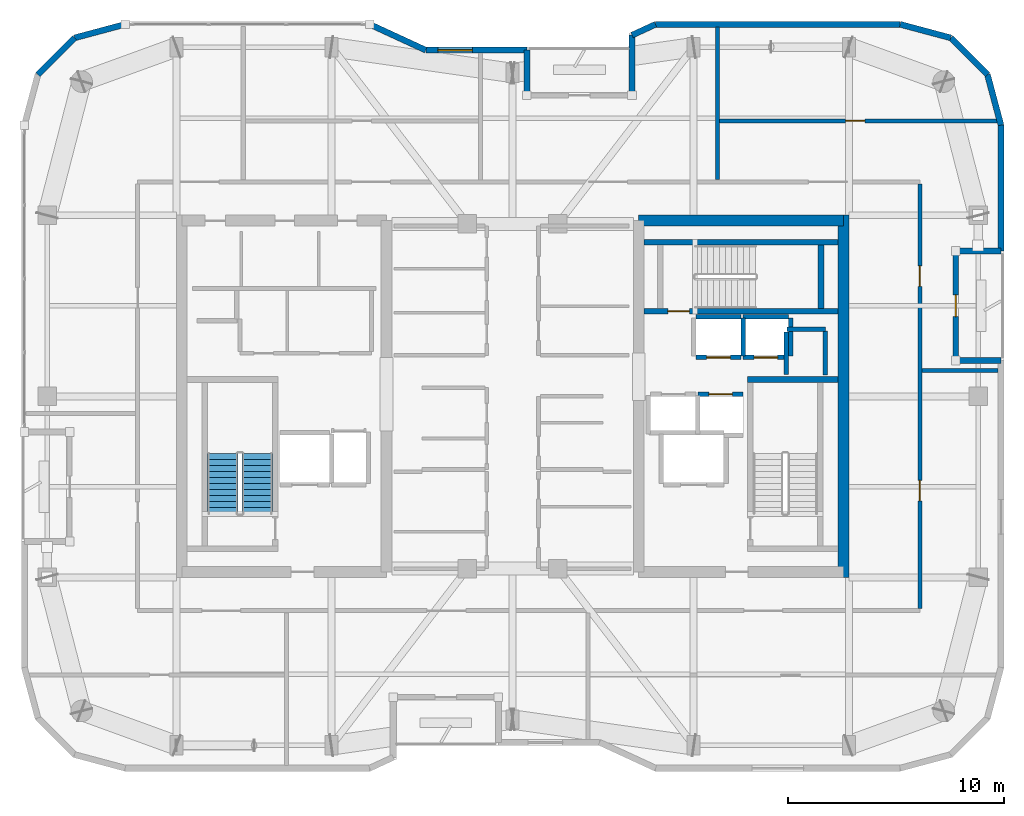
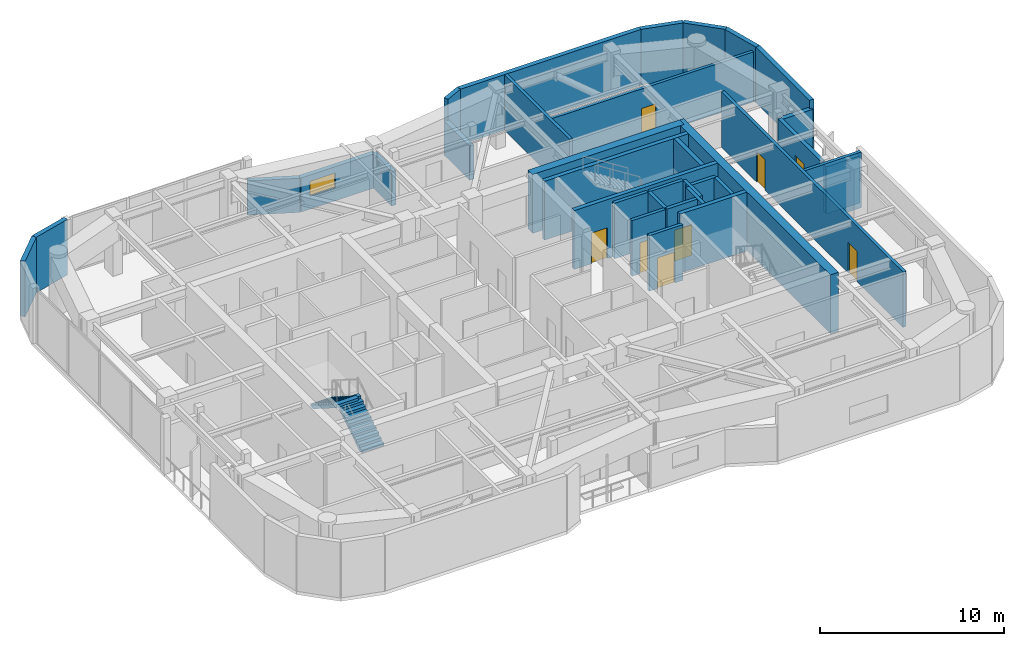
# One storey, part 13 of 16: 35 walls, 8 doors, 2 stair flights, 1 window, 9 openings, 1 element without a shape of its own.
"""IFC4 building model written with IfcOpenShell, lengths in metres."""

from ifc_helpers import new_model, si_unit, direction, frame, frame_2d, origin, place, context, subcontext, project, spatial, polyline, rectangle, outline, extrude, material, layer, layer_set, type_object, element, fill, aggregate, save


model = new_model("IFC4")

# Units and contexts
model_context = context("Model", 3, precision=1e-05, world=origin(), true_north=direction((0.0, 1.0)))
body_context = subcontext(model_context, "Body", "Model", "MODEL_VIEW")
ifc_project = project(units=[si_unit("LENGTHUNIT", "METRE"), si_unit("AREAUNIT", "SQUARE_METRE"), si_unit("VOLUMEUNIT", "CUBIC_METRE"), si_unit("PLANEANGLEUNIT", "RADIAN"), si_unit("MASSUNIT", "GRAM", prefix="KILO")], contexts=[model_context])

# Site, building, storey
site_placement = place(None, origin())
site = spatial("IfcSite", under=ifc_project, at=site_placement, CompositionType="ELEMENT")
building_placement = place(site_placement, origin())
building = spatial("IfcBuilding", under=site, at=building_placement, Name="Kiyonajd Concourse Tower", CompositionType="ELEMENT")
storey_placement = place(building_placement, frame((0.0, 0.0, 333.60009765625)))
storey = spatial("IfcBuildingStorey", under=building, at=storey_placement, Name="L84", CompositionType="ELEMENT", Elevation=333.60009765625)

# Walls
ifc_material_1 = material(Name="Concrete C60/75", Category="concrete")
ifc_layer_1 = layer(ifc_material_1, 0.5)
ifc_layer_set_1 = layer_set([ifc_layer_1], Name="Concrete C60/75")
wall_type_1 = type_object("IfcWallType", Name="WL-CORE-500", PredefinedType="SHEAR", material=ifc_layer_set_1)
wall_1_placement = place(storey_placement, frame((63.35009765625, 27.60009765625, 0.0), z_axis=(0.0, 0.0, 1.0), x_axis=(0.0, 1.0, 0.0)))
element("IfcWall", 1, at=wall_1_placement, inside=storey, type_object=wall_type_1, Name="L84 East Core Outer Shear Wall", PredefinedType="SHEAR", context=body_context, shape_type="SweptSolid", body=[
    extrude(rectangle(XDim=16.7998046875, YDim=0.5, at=frame_2d((8.39990234375, 0.0))), origin(), (0.0, 0.0, 1.0), 3.89990234375),
])
wall_2_placement = place(storey_placement, frame((53.85009765625, 44.14990234375, 0.0), z_axis=(0.0, 0.0, 1.0), x_axis=(1.0, 0.0, 0.0)))
element("IfcWall", 2, at=wall_2_placement, inside=storey, type_object=wall_type_1, Name="L84 East Core North Shear Wall", PredefinedType="SHEAR", context=body_context, shape_type="SweptSolid", body=[
    extrude(rectangle(XDim=9.5, YDim=0.5, at=frame_2d((4.75, 0.0))), origin(), (0.0, 0.0, 1.0), 3.89990234375),
])
ifc_material_2 = material(Name="Precast concrete C50/60", Category="concrete")
ifc_layer_2 = layer(ifc_material_2, 0.280029296875)
ifc_layer_set_2 = layer_set([ifc_layer_2], Name="Precast concrete C50/60")
wall_type_2 = type_object("IfcWallType", Name="WL-EXT-280", PredefinedType="SOLIDWALL", material=ifc_layer_set_2)
wall_3_placement = place(storey_placement, frame((25.968505859375, 50.927490234375, 0.0), z_axis=(0.0, 0.0, 1.0), x_axis=(0.707106781187, 0.707106781187, 0.0)))
element("IfcWall", 3, at=wall_3_placement, inside=storey, type_object=wall_type_2, Name="L84 Exterior Concrete Frame Wall 07", PredefinedType="SOLIDWALL", context=body_context, shape_type="SweptSolid", body=[
    extrude(rectangle(XDim=2.409912109375, YDim=0.280029296875, at=frame_2d((1.205078125, 0.0))), origin(), (0.0, 0.0, 1.0), 3.679931640625),
])
wall_4_placement = place(storey_placement, frame((27.672607421875, 52.631591796875, 0.0), z_axis=(0.0, 0.0, 1.0), x_axis=(0.965937282298, 0.25877628691, 0.0)))
element("IfcWall", 4, at=wall_4_placement, inside=storey, type_object=wall_type_2, Name="L84 Exterior Concrete Frame Wall 08", PredefinedType="SOLIDWALL", context=body_context, shape_type="SweptSolid", body=[
    extrude(rectangle(XDim=2.428466796875, YDim=0.280029296875, at=frame_2d((1.21435546875, 0.0))), origin(), (0.0, 0.0, 1.0), 3.679931640625),
])
wall_5_placement = place(storey_placement, frame((41.369384765625, 53.260009765625, 0.0), z_axis=(0.0, 0.0, 1.0), x_axis=(0.907956889006, -0.419063584324, 0.0)))
element("IfcWall", 5, at=wall_5_placement, inside=storey, type_object=wall_type_2, Name="L84 Exterior Concrete Frame Wall 10", PredefinedType="SOLIDWALL", context=body_context, shape_type="SweptSolid", body=[
    extrude(rectangle(XDim=2.863525390625, YDim=0.280029296875, at=frame_2d((1.431640625, 0.0))), origin(), (0.0, 0.0, 1.0), 2.264892578125),
])

# Wall, opening, window
wall_6_placement = place(storey_placement, frame((43.96923828125, 52.06005859375, 0.0), z_axis=(0.0, 0.0, 1.0), x_axis=(1.0, 0.0, 0.0)))
wall_6 = element("IfcWall", 6, at=wall_6_placement, inside=storey, type_object=wall_type_2, Name="L84 Exterior Concrete Frame Wall 11", PredefinedType="SOLIDWALL", context=body_context, shape_type="SweptSolid", body=[
    extrude(rectangle(XDim=4.690673828125, YDim=0.280029296875, at=frame_2d((2.34521484375, 0.0))), origin(), (0.0, 0.0, 1.0), 2.264892578125),
])
opening_1_placement = place(wall_6_placement, frame((0.56005859375, 0.0, 0.85009765625)))
opening_1 = element("IfcOpeningElement", 7, at=opening_1_placement, cuts=wall_6, Name="Opening WN6", PredefinedType="OPENING", context=body_context, shape_type="SweptSolid", body=[
    extrude(rectangle(XDim=1.60009765625, YDim=1.0, at=frame_2d((0.800048828125, 0.5))), frame((0.0, 0.14990234375, 0.0), z_axis=(0.0, -1.0, 0.0), x_axis=(1.0, 0.0, 0.0)), (0.0, 0.0, 1.0), 0.300048828125),
])
ifc_material_3 = material(Name="Double Low-E Insulated Glass", Category="glass")
window_type = type_object("IfcWindowType", Name="WN-VIS-1600x1000", PartitioningType="SINGLE_PANEL", PredefinedType="WINDOW", material=ifc_material_3)
window_placement = place(opening_1_placement, origin())
window = element("IfcWindow", 8, at=window_placement, inside=storey, type_object=window_type, Name="L84 Modular Facade Vision Window 11", OverallHeight=1.0, OverallWidth=1.60009765625, PartitioningType="SINGLE_PANEL", PredefinedType="WINDOW", context=body_context, shape_type="SweptSolid", body=[
    extrude(rectangle(XDim=1.60009765625, YDim=1.0, at=frame_2d((0.800048828125, 0.5))), frame((0.0, 0.030029296875, 0.0), z_axis=(0.0, -1.0, 0.0), x_axis=(1.0, 0.0, 0.0)), (0.0, 0.0, 1.0), 0.06005859375),
])
fill(opening_1, window)

# Walls
wall_7_placement = place(storey_placement, frame((48.659912109375, 52.06005859375, 0.0), z_axis=(0.0, 0.0, 1.0), x_axis=(0.0, -1.0, 0.0)))
element("IfcWall", 9, at=wall_7_placement, inside=storey, type_object=wall_type_2, Name="L84 Exterior Concrete Frame Wall 12", PredefinedType="SOLIDWALL", context=body_context, shape_type="SweptSolid", body=[
    extrude(rectangle(XDim=2.10009765625, YDim=0.280029296875, at=frame_2d((1.050048828125, 0.0))), origin(), (0.0, 0.0, 1.0), 2.264892578125),
])
wall_8_placement = place(storey_placement, frame((53.5400390625, 49.9599609375, 0.0), z_axis=(0.0, 0.0, 1.0), x_axis=(0.0, 1.0, 0.0)))
element("IfcWall", 10, at=wall_8_placement, inside=storey, type_object=wall_type_2, Name="L84 Exterior Concrete Frame Wall 14", PredefinedType="SOLIDWALL", context=body_context, shape_type="SweptSolid", body=[
    extrude(rectangle(XDim=2.79638671875, YDim=0.280029296875, at=frame_2d((1.398193359375, 0.0))), origin(), (0.0, 0.0, 1.0), 2.264892578125),
])
wall_9_placement = place(storey_placement, frame((53.5400390625, 52.75634765625, 0.0), z_axis=(0.0, 0.0, 1.0), x_axis=(0.907893953211, 0.419199916176, 0.0)))
element("IfcWall", 11, at=wall_9_placement, inside=storey, type_object=wall_type_2, Name="L84 Exterior Concrete Frame Wall 15", PredefinedType="SOLIDWALL", context=body_context, shape_type="SweptSolid", body=[
    extrude(rectangle(XDim=1.201416015625, YDim=0.280029296875, at=frame_2d((0.6005859375, 0.0))), origin(), (0.0, 0.0, 1.0), 3.679931640625),
])
wall_10_placement = place(storey_placement, frame((54.630859375, 53.260009765625, 0.0), z_axis=(0.0, 0.0, 1.0), x_axis=(1.0, 0.0, 0.0)))
element("IfcWall", 12, at=wall_10_placement, inside=storey, type_object=wall_type_2, Name="L84 Exterior Concrete Frame Wall 16", PredefinedType="SOLIDWALL", context=body_context, shape_type="SweptSolid", body=[
    extrude(rectangle(XDim=11.350830078125, YDim=0.280029296875, at=frame_2d((5.67529296875, 0.0))), origin(), (0.0, 0.0, 1.0), 3.679931640625),
])
wall_11_placement = place(storey_placement, frame((65.981689453125, 53.260009765625, 0.0), z_axis=(0.0, 0.0, 1.0), x_axis=(0.965937282298, -0.25877628691, 0.0)))
element("IfcWall", 13, at=wall_11_placement, inside=storey, type_object=wall_type_2, Name="L84 Exterior Concrete Frame Wall 17", PredefinedType="SOLIDWALL", context=body_context, shape_type="SweptSolid", body=[
    extrude(rectangle(XDim=2.428466796875, YDim=0.280029296875, at=frame_2d((1.21435546875, 0.0))), origin(), (0.0, 0.0, 1.0), 3.679931640625),
])
wall_12_placement = place(storey_placement, frame((68.327392578125, 52.631591796875, 0.0), z_axis=(0.0, 0.0, 1.0), x_axis=(0.707106781187, -0.707106781187, 0.0)))
element("IfcWall", 14, at=wall_12_placement, inside=storey, type_object=wall_type_2, Name="L84 Exterior Concrete Frame Wall 18", PredefinedType="SOLIDWALL", context=body_context, shape_type="SweptSolid", body=[
    extrude(rectangle(XDim=2.409912109375, YDim=0.280029296875, at=frame_2d((1.205078125, 0.0))), origin(), (0.0, 0.0, 1.0), 3.679931640625),
])
wall_13_placement = place(storey_placement, frame((70.031494140625, 50.927490234375, 0.0), z_axis=(0.0, 0.0, 1.0), x_axis=(0.258751159445, -0.965944013639, 0.0)))
element("IfcWall", 15, at=wall_13_placement, inside=storey, type_object=wall_type_2, Name="L84 Exterior Concrete Frame Wall 19", PredefinedType="SOLIDWALL", context=body_context, shape_type="SweptSolid", body=[
    extrude(rectangle(XDim=2.4287109375, YDim=0.280029296875, at=frame_2d((1.21435546875, 0.0))), origin(), (0.0, 0.0, 1.0), 3.679931640625),
])
wall_14_placement = place(storey_placement, frame((70.659912109375, 48.58154296875, 0.0), z_axis=(0.0, 0.0, 1.0), x_axis=(0.0, -1.0, 0.0)))
element("IfcWall", 16, at=wall_14_placement, inside=storey, type_object=wall_type_2, Name="L84 Exterior Concrete Frame Wall 20", PredefinedType="SOLIDWALL", context=body_context, shape_type="SweptSolid", body=[
    extrude(rectangle(XDim=5.841552734375, YDim=0.280029296875, at=frame_2d((2.9208984375, 0.0))), origin(), (0.0, 0.0, 1.0), 3.679931640625),
])
for number, where, z_axis, x_axis, name in (
    (17, (70.659912109375, 42.739990234375, 0.0), (0.0, 0.0, 1.0), (-1.0, 0.0, 0.0), "L84 Exterior Concrete Frame Wall 21"),
    (18, (68.56005859375, 37.659912109375, 0.0), (0.0, 0.0, 1.0), (1.0, 0.0, 0.0), "L84 Exterior Concrete Frame Wall 23"),
):
    element("IfcWall", number, at=place(storey_placement, frame(where, z_axis=z_axis, x_axis=x_axis)), inside=storey, type_object=wall_type_2, Name=name, PredefinedType="SOLIDWALL", context=body_context, shape_type="SweptSolid", body=[
        extrude(rectangle(XDim=2.099853515625, YDim=0.280029296875, at=frame_2d((1.0498046875, 0.0))), origin(), (0.0, 0.0, 1.0), 3.1259765625),
    ])

# Wall, opening, door
ifc_layer_3 = layer(ifc_material_2, 0.239990234375)
ifc_layer_set_3 = layer_set([ifc_layer_3], Name="Precast concrete C50/60")
wall_type_3 = type_object("IfcWallType", Name="WL-LOG-240", PredefinedType="SOLIDWALL", material=ifc_layer_set_3)
wall_15_placement = place(storey_placement, frame((68.56005859375, 42.544921875, 0.0), z_axis=(0.0, 0.0, 1.0), x_axis=(0.0, -1.0, 0.0)))
wall_15 = element("IfcWall", 19, at=wall_15_placement, inside=storey, type_object=wall_type_3, Name="L84 Recessed Loggia Thermal Wall LOG-E", PredefinedType="SOLIDWALL", context=body_context, shape_type="SweptSolid", body=[
    extrude(rectangle(XDim=4.68994140625, YDim=0.239990234375, at=frame_2d((2.344970703125, 0.0))), origin(), (0.0, 0.0, 1.0), 3.310791015625),
])
opening_2_placement = place(wall_15_placement, frame((1.844970703125, 0.0, 0.0)))
opening_2 = element("IfcOpeningElement", 20, at=opening_2_placement, cuts=wall_15, Name="Opening DL1", PredefinedType="OPENING", context=body_context, shape_type="SweptSolid", body=[
    extrude(rectangle(XDim=1.0, YDim=2.02001953125, at=frame_2d((0.5, 1.010009765625))), frame((0.0, 0.1298828125, 0.0), z_axis=(0.0, -1.0, 0.0), x_axis=(1.0, 0.0, 0.0)), (0.0, 0.0, 1.0), 0.260009765625),
])
ifc_material_4 = material(Name="Thermally Broken Anodised Aluminium", Category="aluminium")
door_type_1 = type_object("IfcDoorType", Name="DR-LOG-1000", OperationType="NOTDEFINED", PredefinedType="DOOR", material=ifc_material_4)
door_1_placement = place(opening_2_placement, origin())
door_1 = element("IfcDoor", 21, at=door_1_placement, inside=storey, type_object=door_type_1, Name="L84 Engawa Loggia Access Door LOG-E", OperationType="SINGLE_SWING_LEFT", OverallHeight=2.02001953125, OverallWidth=1.0, PredefinedType="DOOR", context=body_context, shape_type="SweptSolid", body=[
    extrude(rectangle(XDim=1.0, YDim=2.02001953125, at=frame_2d((0.5, 1.010009765625))), frame((0.0, 0.02490234375, 0.0), z_axis=(0.0, -1.0, 0.0), x_axis=(1.0, 0.0, 0.0)), (0.0, 0.0, 1.0), 0.050048828125),
])
fill(opening_2, door_1)

# Wall, openings, doors
ifc_material_5 = material(Name="Gypsum Board on Cold-Formed Steel Stud", Category="steel")
ifc_layer_4 = layer(ifc_material_5, 0.18994140625)
ifc_layer_set_4 = layer_set([ifc_layer_4], Name="Gypsum Board on Cold-Formed Steel Stud")
wall_type_4 = type_object("IfcWallType", Name="WL-PLMB-190", PredefinedType="PLUMBINGWALL", material=ifc_layer_set_4)
wall_16_placement = place(storey_placement, frame((66.89990234375, 26.14697265625, 0.0), z_axis=(0.0, 0.0, 1.0), x_axis=(0.0, 1.0, 0.0)))
wall_16 = element("IfcWall", 22, at=wall_16_placement, inside=storey, type_object=wall_type_4, Name="L84 Interior Partition Wall", PredefinedType="PLUMBINGWALL", context=body_context, shape_type="SweptSolid", body=[
    extrude(rectangle(XDim=19.7060546875, YDim=0.18994140625, at=frame_2d((9.85302734375, 0.0))), origin(), (0.0, 0.0, 1.0), 3.679931640625),
])
opening_3_placement = place(wall_16_placement, frame((5.0029296875, 0.0, 0.0)))
opening_3 = element("IfcOpeningElement", 23, at=opening_3_placement, cuts=wall_16, Name="Opening DI1", PredefinedType="OPENING", context=body_context, shape_type="SweptSolid", body=[
    extrude(rectangle(XDim=0.949951171875, YDim=2.0400390625, at=frame_2d((0.47509765625, 1.02001953125))), frame((0.0, 0.10498046875, 0.0), z_axis=(0.0, -1.0, 0.0), x_axis=(1.0, 0.0, 0.0)), (0.0, 0.0, 1.0), 0.2099609375),
])
opening_4_placement = place(wall_16_placement, frame((14.952880859375, 0.0, 0.0)))
opening_4 = element("IfcOpeningElement", 24, at=opening_4_placement, cuts=wall_16, Name="Opening DI1", PredefinedType="OPENING", context=body_context, shape_type="SweptSolid", body=[
    extrude(rectangle(XDim=0.949951171875, YDim=2.0400390625, at=frame_2d((0.47509765625, 1.02001953125))), frame((0.0, 0.10498046875, 0.0), z_axis=(0.0, -1.0, 0.0), x_axis=(1.0, 0.0, 0.0)), (0.0, 0.0, 1.0), 0.2099609375),
])
ifc_material_6 = material(Name="Natural Oak Acoustic Timber Veneer", Category="wood")
door_type_2 = type_object("IfcDoorType", Name="DR-INT-950", OperationType="NOTDEFINED", PredefinedType="DOOR", material=ifc_material_6)
door_2_placement = place(opening_3_placement, origin())
door_2 = element("IfcDoor", 25, at=door_2_placement, inside=storey, type_object=door_type_2, Name="L84 Interior Door", OperationType="SINGLE_SWING_LEFT", OverallHeight=2.0400390625, OverallWidth=0.949951171875, PredefinedType="DOOR", context=body_context, shape_type="SweptSolid", body=[
    extrude(rectangle(XDim=0.949951171875, YDim=2.0400390625, at=frame_2d((0.47509765625, 1.02001953125))), frame((0.0, 0.02490234375, 0.0), z_axis=(0.0, -1.0, 0.0), x_axis=(1.0, 0.0, 0.0)), (0.0, 0.0, 1.0), 0.050048828125),
])
fill(opening_3, door_2)
door_3_placement = place(opening_4_placement, origin())
door_3 = element("IfcDoor", 26, at=door_3_placement, inside=storey, type_object=door_type_2, Name="L84 Interior Door", OperationType="SINGLE_SWING_RIGHT", OverallHeight=2.0400390625, OverallWidth=0.949951171875, PredefinedType="DOOR", context=body_context, shape_type="SweptSolid", body=[
    extrude(rectangle(XDim=0.949951171875, YDim=2.0400390625, at=frame_2d((0.47509765625, 1.02001953125))), frame((0.0, 0.02490234375, 0.0), z_axis=(0.0, -1.0, 0.0), x_axis=(1.0, 0.0, 0.0)), (0.0, 0.0, 1.0), 0.050048828125),
])
fill(opening_4, door_3)

# Wall, opening, door
wall_17_placement = place(storey_placement, frame((57.5, 48.780029296875, 0.0), z_axis=(0.0, 0.0, 1.0), x_axis=(1.0, 0.0, 0.0)))
wall_17 = element("IfcWall", 27, at=wall_17_placement, inside=storey, type_object=wall_type_4, Name="L84 Interior Partition Wall", PredefinedType="PLUMBINGWALL", context=body_context, shape_type="SweptSolid", body=[
    extrude(rectangle(XDim=12.965087890625, YDim=0.18994140625, at=frame_2d((6.482421875, 0.0))), origin(), (0.0, 0.0, 1.0), 3.310791015625),
])
opening_5_placement = place(wall_17_placement, frame((5.949951171875, 0.0, 0.0)))
opening_5 = element("IfcOpeningElement", 28, at=opening_5_placement, cuts=wall_17, Name="Opening DI2", PredefinedType="OPENING", context=body_context, shape_type="SweptSolid", body=[
    extrude(rectangle(XDim=0.89990234375, YDim=2.02001953125, at=frame_2d((0.449951171875, 1.010009765625))), frame((0.0, 0.10498046875, 0.0), z_axis=(0.0, -1.0, 0.0), x_axis=(1.0, 0.0, 0.0)), (0.0, 0.0, 1.0), 0.2099609375),
])
door_type_3 = type_object("IfcDoorType", Name="DR-INT-900", OperationType="NOTDEFINED", PredefinedType="DOOR", material=ifc_material_6)
door_4_placement = place(opening_5_placement, origin())
door_4 = element("IfcDoor", 29, at=door_4_placement, inside=storey, type_object=door_type_3, Name="L84 Interior Door", OperationType="SINGLE_SWING_RIGHT", OverallHeight=2.02001953125, OverallWidth=0.89990234375, PredefinedType="DOOR", context=body_context, shape_type="SweptSolid", body=[
    extrude(rectangle(XDim=0.89990234375, YDim=2.02001953125, at=frame_2d((0.449951171875, 1.010009765625))), frame((0.0, 0.02490234375, 0.0), z_axis=(0.0, -1.0, 0.0), x_axis=(1.0, 0.0, 0.0)), (0.0, 0.0, 1.0), 0.050048828125),
])
fill(opening_5, door_4)

# Walls
wall_18_placement = place(storey_placement, frame((57.5, 46.047119140625, 0.0), z_axis=(0.0, 0.0, 1.0), x_axis=(0.0, 1.0, 0.0)))
element("IfcWall", 30, at=wall_18_placement, inside=storey, type_object=wall_type_4, Name="L84 Interior Partition Wall", PredefinedType="PLUMBINGWALL", context=body_context, shape_type="SweptSolid", body=[
    extrude(rectangle(XDim=7.077880859375, YDim=0.18994140625, at=frame_2d((3.5390625, 0.0))), origin(), (0.0, 0.0, 1.0), 3.679931640625),
])
wall_19_placement = place(storey_placement, frame((66.9970703125, 37.199951171875, 0.0), z_axis=(0.0, 0.0, 1.0), x_axis=(1.0, 0.0, 0.0)))
element("IfcWall", 31, at=wall_19_placement, inside=storey, type_object=wall_type_4, Name="L84 Interior Partition Wall", PredefinedType="PLUMBINGWALL", context=body_context, shape_type="SweptSolid", body=[
    extrude(rectangle(XDim=3.52783203125, YDim=0.18994140625, at=frame_2d((1.763916015625, 0.0))), origin(), (0.0, 0.0, 1.0), 3.679931640625),
])
ifc_layer_5 = layer(ifc_material_5, 0.2099609375)
ifc_layer_set_5 = layer_set([ifc_layer_5], Name="Gypsum Board on Cold-Formed Steel Stud")
wall_type_5 = type_object("IfcWallType", Name="WL-SHAFT-210", PredefinedType="PARTITIONING", material=ifc_layer_set_5)
wall_20_placement = place(storey_placement, frame((60.719970703125, 39.10009765625, 0.0), z_axis=(0.0, 0.0, 1.0), x_axis=(1.0, 0.0, 0.0)))
element("IfcWall", 32, at=wall_20_placement, inside=storey, type_object=wall_type_5, Name="L84 Shaft Enclosure Wall", PredefinedType="PARTITIONING", context=body_context, shape_type="SweptSolid", body=[
    extrude(rectangle(XDim=1.800048828125, YDim=0.2099609375, at=frame_2d((0.89990234375, 0.0))), origin(), (0.0, 0.0, 1.0), 3.679931640625),
])
wall_21_placement = place(storey_placement, frame((60.699951171875, 37.02001953125, 0.0), z_axis=(0.0, 0.0, 1.0), x_axis=(0.0, 1.0, 0.0)))
element("IfcWall", 33, at=wall_21_placement, inside=storey, type_object=wall_type_5, Name="L84 Shaft Enclosure Wall", PredefinedType="PARTITIONING", context=body_context, shape_type="SweptSolid", body=[
    extrude(rectangle(XDim=1.9599609375, YDim=0.2099609375, at=frame_2d((0.97998046875, 0.0))), origin(), (0.0, 0.0, 1.0), 3.679931640625),
])
wall_22_placement = place(storey_placement, frame((62.5, 36.97998046875, 0.0), z_axis=(0.0, 0.0, 1.0), x_axis=(0.0, 1.0, 0.0)))
element("IfcWall", 34, at=wall_22_placement, inside=storey, type_object=wall_type_5, Name="L84 Shaft Enclosure Wall", PredefinedType="PARTITIONING", context=body_context, shape_type="SweptSolid", body=[
    extrude(rectangle(XDim=2.0400390625, YDim=0.2099609375, at=frame_2d((1.02001953125, 0.0))), origin(), (0.0, 0.0, 1.0), 3.679931640625),
])

# Wall, opening, door
wall_23_placement = place(storey_placement, frame((56.60009765625, 36.10009765625, 0.0), z_axis=(0.0, 0.0, 1.0), x_axis=(1.0, 0.0, 0.0)))
wall_23 = element("IfcWall", 35, at=wall_23_placement, inside=storey, type_object=wall_type_5, Name="L84 Shaft Enclosure Wall", PredefinedType="PARTITIONING", context=body_context, shape_type="SweptSolid", body=[
    extrude(rectangle(XDim=2.099853515625, YDim=0.2099609375, at=frame_2d((1.0498046875, 0.0))), origin(), (0.0, 0.0, 1.0), 3.679931640625),
])
opening_6_placement = place(wall_23_placement, frame((0.5, 0.0, 0.0)))
opening_6 = element("IfcOpeningElement", 36, at=opening_6_placement, cuts=wall_23, Name="Opening LD1", PredefinedType="OPENING", context=body_context, shape_type="SweptSolid", body=[
    extrude(rectangle(XDim=1.10009765625, YDim=2.0400390625, at=frame_2d((0.550048828125, 1.02001953125))), frame((0.0, 0.114990234375, 0.0), z_axis=(0.0, -1.0, 0.0), x_axis=(1.0, 0.0, 0.0)), (0.0, 0.0, 1.0), 0.22998046875),
])
ifc_material_7 = material(Name="Brushed Stainless Steel Cab Assembly", Category="steel")
door_type_4 = type_object("IfcDoorType", Name="DR-LD-1100", OperationType="DOUBLE_DOOR_SLIDING", PredefinedType="DOOR", material=ifc_material_7)
door_5_placement = place(opening_6_placement, origin())
door_5 = element("IfcDoor", 37, at=door_5_placement, inside=storey, type_object=door_type_4, Name="L84 Lift PL-H2 Sliding Landing Door", OperationType="DOUBLE_DOOR_SLIDING", OverallHeight=2.0400390625, OverallWidth=1.10009765625, PredefinedType="DOOR", context=body_context, shape_type="SweptSolid", body=[
    extrude(rectangle(XDim=1.10009765625, YDim=2.0400390625, at=frame_2d((0.550048828125, 1.02001953125))), frame((0.0, 0.02490234375, 0.0), z_axis=(0.0, -1.0, 0.0), x_axis=(1.0, 0.0, 0.0)), (0.0, 0.0, 1.0), 0.050048828125),
])
fill(opening_6, door_5)

wall_24_placement = place(storey_placement, frame((56.5, 37.800048828125, 0.0), z_axis=(0.0, 0.0, 1.0), x_axis=(1.0, 0.0, 0.0)))
wall_24 = element("IfcWall", 38, at=wall_24_placement, inside=storey, type_object=wall_type_5, Name="L84 Shaft Enclosure Wall", PredefinedType="PARTITIONING", context=body_context, shape_type="SweptSolid", body=[
    extrude(rectangle(XDim=2.10009765625, YDim=0.2099609375, at=frame_2d((1.050048828125, 0.0))), origin(), (0.0, 0.0, 1.0), 3.679931640625),
])
opening_7_placement = place(wall_24_placement, frame((0.5, 0.0, 0.0)))
opening_7 = element("IfcOpeningElement", 39, at=opening_7_placement, cuts=wall_24, Name="Opening LD1", PredefinedType="OPENING", context=body_context, shape_type="SweptSolid", body=[
    extrude(rectangle(XDim=1.10009765625, YDim=2.0400390625, at=frame_2d((0.550048828125, 1.02001953125))), frame((0.0, 0.114990234375, 0.0), z_axis=(0.0, -1.0, 0.0), x_axis=(1.0, 0.0, 0.0)), (0.0, 0.0, 1.0), 0.22998046875),
])
door_6_placement = place(opening_7_placement, origin())
door_6 = element("IfcDoor", 40, at=door_6_placement, inside=storey, type_object=door_type_4, Name="L84 Lift PL-H3 Sliding Landing Door", OperationType="DOUBLE_DOOR_SLIDING", OverallHeight=2.0400390625, OverallWidth=1.10009765625, PredefinedType="DOOR", context=body_context, shape_type="SweptSolid", body=[
    extrude(rectangle(XDim=1.10009765625, YDim=2.0400390625, at=frame_2d((0.550048828125, 1.02001953125))), frame((0.0, 0.02490234375, 0.0), z_axis=(0.0, -1.0, 0.0), x_axis=(1.0, 0.0, 0.0)), (0.0, 0.0, 1.0), 0.050048828125),
])
fill(opening_7, door_6)

# Walls
wall_25_placement = place(storey_placement, frame((56.5, 39.699951171875, 0.0), z_axis=(0.0, 0.0, 1.0), x_axis=(1.0, 0.0, 0.0)))
element("IfcWall", 41, at=wall_25_placement, inside=storey, type_object=wall_type_5, Name="L84 Shaft Enclosure Wall", PredefinedType="PARTITIONING", context=body_context, shape_type="SweptSolid", body=[
    extrude(rectangle(XDim=2.10009765625, YDim=0.2099609375, at=frame_2d((1.050048828125, 0.0))), origin(), (0.0, 0.0, 1.0), 3.679931640625),
])
wall_26_placement = place(storey_placement, frame((58.699951171875, 37.860107421875, 0.0), z_axis=(0.0, 0.0, 1.0), x_axis=(0.0, 1.0, 0.0)))
element("IfcWall", 42, at=wall_26_placement, inside=storey, type_object=wall_type_5, Name="L84 Shaft Enclosure Wall", PredefinedType="PARTITIONING", context=body_context, shape_type="SweptSolid", body=[
    extrude(rectangle(XDim=1.77978515625, YDim=0.2099609375, at=frame_2d((0.889892578125, 0.0))), origin(), (0.0, 0.0, 1.0), 3.679931640625),
])

# Wall, opening, door
wall_27_placement = place(storey_placement, frame((58.699951171875, 37.800048828125, 0.0), z_axis=(0.0, 0.0, 1.0), x_axis=(1.0, 0.0, 0.0)))
wall_27 = element("IfcWall", 43, at=wall_27_placement, inside=storey, type_object=wall_type_5, Name="L84 Shaft Enclosure Wall", PredefinedType="PARTITIONING", context=body_context, shape_type="SweptSolid", body=[
    extrude(rectangle(XDim=2.10009765625, YDim=0.2099609375, at=frame_2d((1.050048828125, 0.0))), origin(), (0.0, 0.0, 1.0), 3.679931640625),
])
opening_8_placement = place(wall_27_placement, frame((0.5, 0.0, 0.0)))
opening_8 = element("IfcOpeningElement", 44, at=opening_8_placement, cuts=wall_27, Name="Opening LD1", PredefinedType="OPENING", context=body_context, shape_type="SweptSolid", body=[
    extrude(rectangle(XDim=1.10009765625, YDim=2.0400390625, at=frame_2d((0.550048828125, 1.02001953125))), frame((0.0, 0.114990234375, 0.0), z_axis=(0.0, -1.0, 0.0), x_axis=(1.0, 0.0, 0.0)), (0.0, 0.0, 1.0), 0.22998046875),
])
door_7_placement = place(opening_8_placement, origin())
door_7 = element("IfcDoor", 45, at=door_7_placement, inside=storey, type_object=door_type_4, Name="L84 Lift PL-H4 Sliding Landing Door", OperationType="DOUBLE_DOOR_SLIDING", OverallHeight=2.0400390625, OverallWidth=1.10009765625, PredefinedType="DOOR", context=body_context, shape_type="SweptSolid", body=[
    extrude(rectangle(XDim=1.10009765625, YDim=2.0400390625, at=frame_2d((0.550048828125, 1.02001953125))), frame((0.0, 0.02490234375, 0.0), z_axis=(0.0, -1.0, 0.0), x_axis=(1.0, 0.0, 0.0)), (0.0, 0.0, 1.0), 0.050048828125),
])
fill(opening_8, door_7)

# Walls
wall_28_placement = place(storey_placement, frame((58.699951171875, 39.699951171875, 0.0), z_axis=(0.0, 0.0, 1.0), x_axis=(1.0, 0.0, 0.0)))
element("IfcWall", 46, at=wall_28_placement, inside=storey, type_object=wall_type_5, Name="L84 Shaft Enclosure Wall", PredefinedType="PARTITIONING", context=body_context, shape_type="SweptSolid", body=[
    extrude(rectangle(XDim=2.10009765625, YDim=0.2099609375, at=frame_2d((1.050048828125, 0.0))), origin(), (0.0, 0.0, 1.0), 3.679931640625),
])
wall_29_placement = place(storey_placement, frame((60.89990234375, 37.860107421875, 0.0), z_axis=(0.0, 0.0, 1.0), x_axis=(0.0, 1.0, 0.0)))
element("IfcWall", 47, at=wall_29_placement, inside=storey, type_object=wall_type_5, Name="L84 Shaft Enclosure Wall", PredefinedType="PARTITIONING", context=body_context, shape_type="SweptSolid", body=[
    extrude(rectangle(XDim=1.77978515625, YDim=0.2099609375, at=frame_2d((0.889892578125, 0.0))), origin(), (0.0, 0.0, 1.0), 3.679931640625),
])
ifc_material_8 = material(Name="Concrete C50/60", Category="concrete")
ifc_layer_6 = layer(ifc_material_8, 0.260009765625)
ifc_layer_set_6 = layer_set([ifc_layer_6], Name="Concrete C50/60")
wall_type_6 = type_object("IfcWallType", Name="WL-STAIR-260", PredefinedType="SHEAR", material=ifc_layer_set_6)
wall_30_placement = place(storey_placement, frame((58.889892578125, 36.780029296875, 0.0), z_axis=(0.0, 0.0, 1.0), x_axis=(1.0, 0.0, 0.0)))
element("IfcWall", 48, at=wall_30_placement, inside=storey, type_object=wall_type_6, Name="L84 Stair ST2 Structural North Wall", PredefinedType="SHEAR", context=body_context, shape_type="SweptSolid", body=[
    extrude(rectangle(XDim=4.210205078125, YDim=0.260009765625, at=frame_2d((2.10498046875, 0.0))), origin(), (0.0, 0.0, 1.0), 3.89990234375),
])

# Wall, opening, door
wall_31_placement = place(storey_placement, frame((54.10009765625, 39.949951171875, 0.0), z_axis=(0.0, 0.0, 1.0), x_axis=(1.0, 0.0, 0.0)))
wall_31 = element("IfcWall", 49, at=wall_31_placement, inside=storey, type_object=wall_type_6, Name="L84 Stair ST3 Structural South Wall", PredefinedType="SHEAR", context=body_context, shape_type="SweptSolid", body=[
    extrude(rectangle(XDim=9.0, YDim=0.260009765625, at=frame_2d((4.5, 0.0))), origin(), (0.0, 0.0, 1.0), 3.89990234375),
])
opening_9_placement = place(wall_31_placement, frame((1.10009765625, 0.0, 0.0)))
opening_9 = element("IfcOpeningElement", 50, at=opening_9_placement, cuts=wall_31, Name="Opening DF1", PredefinedType="OPENING", context=body_context, shape_type="SweptSolid", body=[
    extrude(rectangle(XDim=1.0, YDim=2.0400390625, at=frame_2d((0.5, 1.02001953125))), frame((0.0, 0.139892578125, 0.0), z_axis=(0.0, -1.0, 0.0), x_axis=(1.0, 0.0, 0.0)), (0.0, 0.0, 1.0), 0.280029296875),
])
door_type_5 = type_object("IfcDoorType", Name="DR-FD90-1000", OperationType="NOTDEFINED", PredefinedType="DOOR", material=ifc_material_7)
door_8_placement = place(opening_9_placement, origin())
door_8 = element("IfcDoor", 51, at=door_8_placement, inside=storey, type_object=door_type_5, Name="L84 Stair ST3 Enclosure Door", OperationType="SINGLE_SWING_LEFT", OverallHeight=2.0400390625, OverallWidth=1.0, PredefinedType="DOOR", context=body_context, shape_type="SweptSolid", body=[
    extrude(rectangle(XDim=1.0, YDim=2.0400390625, at=frame_2d((0.5, 1.02001953125))), frame((0.0, 0.02490234375, 0.0), z_axis=(0.0, -1.0, 0.0), x_axis=(1.0, 0.0, 0.0)), (0.0, 0.0, 1.0), 0.050048828125),
])
fill(opening_9, door_8)

# Walls
wall_32_placement = place(storey_placement, frame((54.10009765625, 43.14990234375, 0.0), z_axis=(0.0, 0.0, 1.0), x_axis=(1.0, 0.0, 0.0)))
element("IfcWall", 52, at=wall_32_placement, inside=storey, type_object=wall_type_6, Name="L84 Stair ST3 Structural North Wall", PredefinedType="SHEAR", context=body_context, shape_type="SweptSolid", body=[
    extrude(rectangle(XDim=9.0, YDim=0.260009765625, at=frame_2d((4.5, 0.0))), origin(), (0.0, 0.0, 1.0), 3.89990234375),
])
wall_33_placement = place(storey_placement, frame((62.31005859375, 40.080078125, 0.0), z_axis=(0.0, 0.0, 1.0), x_axis=(0.0, 1.0, 0.0)))
element("IfcWall", 53, at=wall_33_placement, inside=storey, type_object=wall_type_6, Name="L84 Stair ST3 Structural East Wall", PredefinedType="SHEAR", context=body_context, shape_type="SweptSolid", body=[
    extrude(rectangle(XDim=2.93994140625, YDim=0.260009765625, at=frame_2d((1.469970703125, 0.0))), origin(), (0.0, 0.0, 1.0), 3.89990234375),
])

# Stair, stair flights
ifc_material_9 = material(Name="Concrete C40/50", Category="concrete")
stair_type = type_object("IfcStairType", Name="ST-DLG-22R", PredefinedType="HALF_TURN_STAIR", material=ifc_material_9)
stair_placement = place(storey_placement, origin())
stair = element("IfcStair", 54, at=stair_placement, inside=storey, type_object=stair_type, Name="L84 Protected Exit Stair ST1", PredefinedType="HALF_TURN_STAIR")
stair_flight_type = type_object("IfcStairFlightType", Name="SF-STR-22R", PredefinedType="STRAIGHT", material=ifc_material_9)
stair_flight_1_placement = place(storey_placement, frame((36.14990234375, 30.550048828125, 0.0), z_axis=(0.0, 0.0, 1.0), x_axis=(0.0, 1.0, 0.0)))
stair_flight_1 = element("IfcStairFlight", 55, at=stair_flight_1_placement, type_object=stair_flight_type, Name="ST1 flight 1", NumberOfRisers=11, NumberOfTreads=10, PredefinedType="STRAIGHT", RiserHeight=0.177272727, TreadLength=0.28, context=body_context, shape_type="SweptSolid", body=[
    extrude(outline(polyline([(0.0, 0.0), (0.0, 0.17724609375), (0.280029296875, 0.17724609375), (0.280029296875, 0.3544921875), (0.56005859375, 0.3544921875), (0.56005859375, 0.53173828125), (0.840087890625, 0.53173828125), (0.840087890625, 0.708984375), (1.1201171875, 0.708984375), (1.1201171875, 0.886474609375), (1.39990234375, 0.886474609375), (1.39990234375, 1.063720703125), (1.679931640625, 1.063720703125), (1.679931640625, 1.240966796875), (1.9599609375, 1.240966796875), (1.9599609375, 1.418212890625), (2.239990234375, 1.418212890625), (2.239990234375, 1.595458984375), (2.52001953125, 1.595458984375), (2.52001953125, 1.772705078125), (2.800048828125, 1.772705078125), (2.800048828125, 1.949951171875), (2.800048828125, 1.59521484375), (0.2802734375, 0.0), (0.0, 0.0)])), frame((0.0, 0.699951171875, 0.0), z_axis=(0.0, -1.0, 0.0), x_axis=(1.0, 0.0, 0.0)), (0.0, 0.0, 1.0), 1.39990234375),
])
stair_flight_2_placement = place(storey_placement, frame((34.550048828125, 33.35009765625, 1.949951171875), z_axis=(0.0, 0.0, 1.0), x_axis=(0.0, -1.0, 0.0)))
stair_flight_2 = element("IfcStairFlight", 56, at=stair_flight_2_placement, type_object=stair_flight_type, Name="ST1 flight 2", NumberOfRisers=11, NumberOfTreads=10, PredefinedType="STRAIGHT", RiserHeight=0.177272727, TreadLength=0.28, context=body_context, shape_type="SweptSolid", body=[
    extrude(outline(polyline([(0.0, 0.0), (0.0, 0.17724609375), (0.280029296875, 0.17724609375), (0.280029296875, 0.3544921875), (0.56005859375, 0.3544921875), (0.56005859375, 0.53173828125), (0.840087890625, 0.53173828125), (0.840087890625, 0.708984375), (1.1201171875, 0.708984375), (1.1201171875, 0.886474609375), (1.39990234375, 0.886474609375), (1.39990234375, 1.063720703125), (1.679931640625, 1.063720703125), (1.679931640625, 1.240966796875), (1.9599609375, 1.240966796875), (1.9599609375, 1.418212890625), (2.239990234375, 1.418212890625), (2.239990234375, 1.595458984375), (2.52001953125, 1.595458984375), (2.52001953125, 1.772705078125), (2.800048828125, 1.772705078125), (2.800048828125, 1.949951171875), (2.800048828125, 1.59521484375), (0.2802734375, 0.0), (0.0, 0.0)])), frame((0.0, 0.699951171875, 0.0), z_axis=(0.0, -1.0, 0.0), x_axis=(1.0, 0.0, 0.0)), (0.0, 0.0, 1.0), 1.39990234375),
])
aggregate(stair, [stair_flight_1, stair_flight_2])

save(model, "model.ifc")
